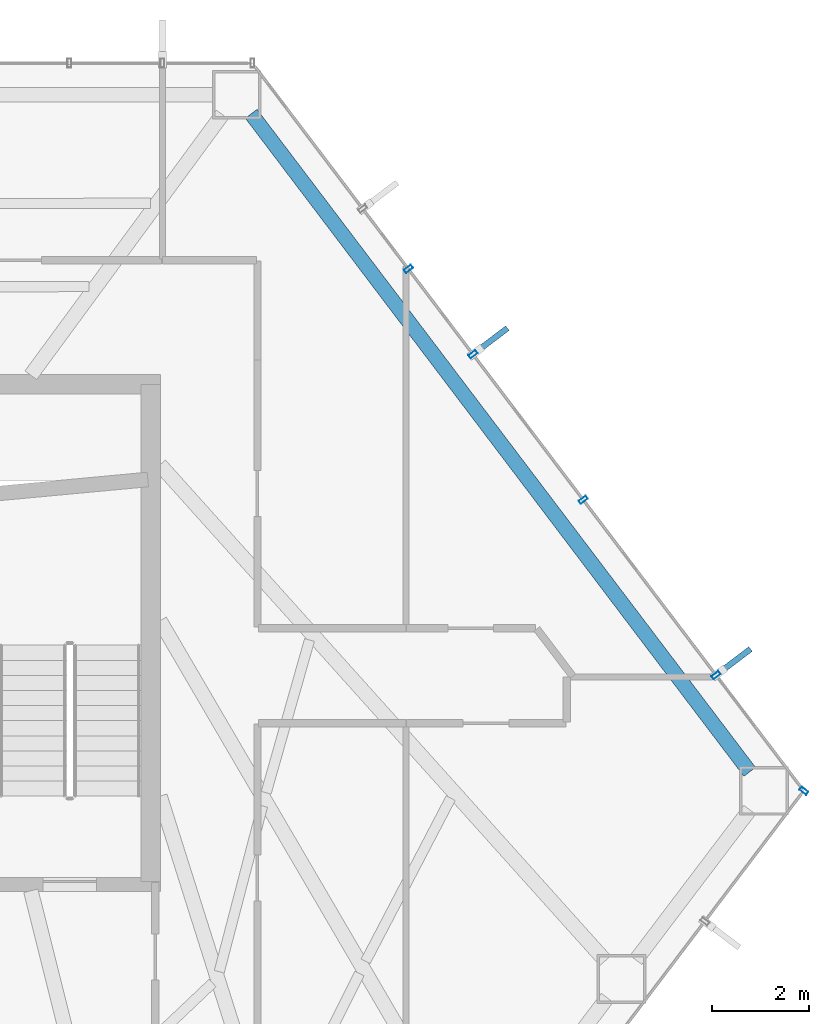
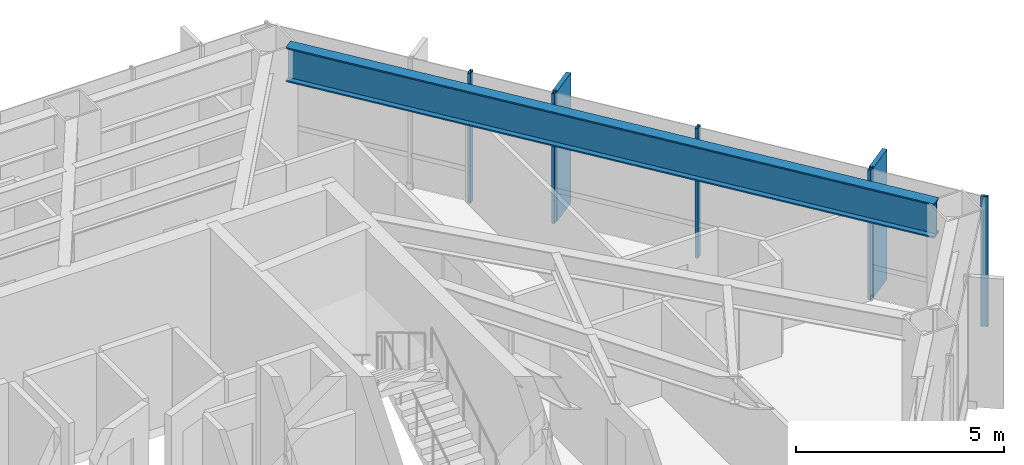
# One storey, part 19 of 25: 7 members, 1 beam, 2 elements without a shape of their own.
"""IFC4 building model written with IfcOpenShell, lengths in metres."""

from ifc_helpers import new_model, si_unit, direction, frame, origin, origin_2d, place, context, subcontext, project, spatial, rectangle, hollow_rectangle, i_section, extrude, material, layer, layer_set, material_profile, profile_set, type_object, element, aggregate, save


model = new_model("IFC4")

# Units and contexts
model_context = context("Model", 3, precision=1e-05, world=origin(), true_north=direction((0.0, 1.0)))
body_context = subcontext(model_context, "Body", "Model", "MODEL_VIEW")
ifc_project = project(units=[si_unit("LENGTHUNIT", "METRE"), si_unit("AREAUNIT", "SQUARE_METRE"), si_unit("VOLUMEUNIT", "CUBIC_METRE"), si_unit("PLANEANGLEUNIT", "RADIAN"), si_unit("MASSUNIT", "GRAM", prefix="KILO")], contexts=[model_context])

# Site, building, storey
site_placement = place(None, origin())
site = spatial("IfcSite", under=ifc_project, at=site_placement, CompositionType="ELEMENT")
building_placement = place(site_placement, origin())
building = spatial("IfcBuilding", under=site, at=building_placement, Name="Zarrinselat Tower", CompositionType="ELEMENT")
storey_placement = place(building_placement, frame((0.0, 0.0, 43.860107421875)))
storey = spatial("IfcBuildingStorey", under=building, at=storey_placement, Name="L10", CompositionType="ELEMENT", Elevation=43.860107421875)

# Beam
ifc_material_1 = material(Name="Steel S460M", Category="steel")
ifc_material_profile_1 = material_profile(ifc_material_1, i_section(OverallWidth=0.302001953125, OverallDepth=1.008056640625, WebThickness=0.02099609375, FlangeThickness=0.0400390625, at=origin_2d()), Name="HEM 1000")
ifc_profile_set_1 = profile_set([ifc_material_profile_1], Name="Steel S460M")
beam_type = type_object("IfcBeamType", Name="BM-HEM1000", PredefinedType="BEAM", material=ifc_profile_set_1)
beam_placement = place(storey_placement, frame((50.321044921875, 49.00537109375, 3.31591796875), z_axis=(0.60386157192, -0.797089205772, 0.0), x_axis=(0.797089205772, 0.60386157192, 0.0)))
element("IfcBeam", 1, at=beam_placement, inside=storey, type_object=beam_type, Name="L10 Perimeter Spandrel Girder SP15", PredefinedType="BEAM", context=body_context, shape_type="SweptSolid", body=[
    extrude(i_section(OverallWidth=0.302001953125, OverallDepth=1.008056640625, WebThickness=0.02099609375, FlangeThickness=0.0400390625, at=origin_2d()), origin(), (0.0, 0.0, 1.0), 16.943359375),
])

# Curtain wall, member
ifc_material_2 = material(Name="Extruded Aluminium Alloy EN AW-6063 T6", Category="aluminium")
ifc_layer = layer(ifc_material_2, 0.18505859375)
ifc_layer_set = layer_set([ifc_layer], Name="Extruded Aluminium Alloy EN AW-6063 T6")
curtain_wall_type = type_object("IfcCurtainWallType", Name="CWS-OFF", PredefinedType="NOTDEFINED", material=ifc_layer_set)
curtain_wall_1_placement = place(storey_placement, origin())
curtain_wall_1 = element("IfcCurtainWall", 2, at=curtain_wall_1_placement, inside=storey, type_object=curtain_wall_type, Name="L10 Unitised Curtain Wall CW-L10-E05", PredefinedType="NOTDEFINED")
ifc_material_3 = material(Name="Extruded Aluminium Alloy EN AW-6063 T6", Category="aluminium")
ifc_material_profile_2 = material_profile(ifc_material_3, hollow_rectangle(XDim=0.080078125, YDim=0.179931640625, WallThickness=0.0048828125, at=origin_2d()), Name="RHS 180x80x5")
ifc_profile_set_2 = profile_set([ifc_material_profile_2], Name="Extruded Aluminium Alloy EN AW-6063 T6")
member_type_1 = type_object("IfcMemberType", Name="MEM-CW-MUL", PredefinedType="MULLION", material=ifc_profile_set_2)
member_1_placement = place(storey_placement, frame((61.66259765625, 35.111083984375, 0.0), z_axis=(0.0, 0.0, 1.0), x_axis=(0.603859118859, 0.797091064164, 0.0)))
member_1 = element("IfcMember", 3, at=member_1_placement, type_object=member_type_1, Name="CW-L10-E05 Mullion 6", PredefinedType="MULLION", context=body_context, shape_type="SweptSolid", body=[
    extrude(hollow_rectangle(XDim=0.080078125, YDim=0.179931640625, WallThickness=0.0048828125, at=origin_2d()), origin(), (0.0, 0.0, 1.0), 3.81982421875),
])
aggregate(curtain_wall_1, [member_1])

# Curtain wall, members
curtain_wall_2_placement = place(storey_placement, origin())
curtain_wall_2 = element("IfcCurtainWall", 4, at=curtain_wall_2_placement, inside=storey, type_object=curtain_wall_type, Name="L10 Unitised Curtain Wall CW-L10-E06", PredefinedType="NOTDEFINED")
member_2_placement = place(storey_placement, frame((59.86328125, 37.486083984375, 0.0), z_axis=(0.0, 0.0, 1.0), x_axis=(-0.603858304597, 0.797091681031, 0.0)))
member_2 = element("IfcMember", 5, at=member_2_placement, type_object=member_type_1, Name="CW-L10-E06 Mullion 1", PredefinedType="MULLION", context=body_context, shape_type="SweptSolid", body=[
    extrude(hollow_rectangle(XDim=0.080078125, YDim=0.179931640625, WallThickness=0.0048828125, at=origin_2d()), origin(), (0.0, 0.0, 1.0), 3.81982421875),
])
member_3_placement = place(storey_placement, frame((57.13720703125, 41.08447265625, 0.0), z_axis=(0.0, 0.0, 1.0), x_axis=(-0.603858304597, 0.797091681031, 0.0)))
member_3 = element("IfcMember", 6, at=member_3_placement, type_object=member_type_1, Name="CW-L10-E06 Mullion 2", PredefinedType="MULLION", context=body_context, shape_type="SweptSolid", body=[
    extrude(hollow_rectangle(XDim=0.080078125, YDim=0.179931640625, WallThickness=0.0048828125, at=origin_2d()), origin(), (0.0, 0.0, 1.0), 3.81982421875),
])
member_4_placement = place(storey_placement, frame((54.874755859375, 44.071044921875, 0.0), z_axis=(0.0, 0.0, 1.0), x_axis=(-0.603858304597, 0.797091681031, 0.0)))
member_4 = element("IfcMember", 7, at=member_4_placement, type_object=member_type_1, Name="CW-L10-E06 Mullion 3", PredefinedType="MULLION", context=body_context, shape_type="SweptSolid", body=[
    extrude(hollow_rectangle(XDim=0.080078125, YDim=0.179931640625, WallThickness=0.0048828125, at=origin_2d()), origin(), (0.0, 0.0, 1.0), 3.81982421875),
])
member_5_placement = place(storey_placement, frame((53.5478515625, 45.822509765625, 0.0), z_axis=(0.0, 0.0, 1.0), x_axis=(-0.603858304597, 0.797091681031, 0.0)))
member_5 = element("IfcMember", 8, at=member_5_placement, type_object=member_type_1, Name="CW-L10-E06 Mullion 4", PredefinedType="MULLION", context=body_context, shape_type="SweptSolid", body=[
    extrude(hollow_rectangle(XDim=0.080078125, YDim=0.179931640625, WallThickness=0.0048828125, at=origin_2d()), origin(), (0.0, 0.0, 1.0), 3.81982421875),
])
ifc_material_4 = material(Name="Honed Cream Travertine Stone", Category="masonry")
ifc_material_profile_3 = material_profile(ifc_material_4, rectangle(XDim=0.1201171875, YDim=0.85009765625, at=origin_2d()), Name="FIN 850x120")
ifc_profile_set_3 = profile_set([ifc_material_profile_3], Name="Honed Cream Travertine Stone")
member_type_2 = type_object("IfcMemberType", Name="MEM-STONE-FIN", PredefinedType="USERDEFINED", material=ifc_profile_set_3)
member_6_placement = place(storey_placement, frame((60.22998046875, 37.763916015625, 0.0), z_axis=(0.0, 0.0, 1.0), x_axis=(0.603858304597, -0.797091681031, 0.0)))
member_6 = element("IfcMember", 9, at=member_6_placement, type_object=member_type_2, Name="L10 Stone Shading Fin CW-L10-E06-01", ObjectType="FIN", PredefinedType="USERDEFINED", context=body_context, shape_type="SweptSolid", body=[
    extrude(rectangle(XDim=0.1201171875, YDim=0.85009765625, at=origin_2d()), origin(), (0.0, 0.0, 1.0), 3.81982421875),
])
member_7_placement = place(storey_placement, frame((55.241455078125, 44.348876953125, 0.0), z_axis=(0.0, 0.0, 1.0), x_axis=(0.603858304597, -0.797091681031, 0.0)))
member_7 = element("IfcMember", 10, at=member_7_placement, type_object=member_type_2, Name="L10 Stone Shading Fin CW-L10-E06-03", ObjectType="FIN", PredefinedType="USERDEFINED", context=body_context, shape_type="SweptSolid", body=[
    extrude(rectangle(XDim=0.1201171875, YDim=0.85009765625, at=origin_2d()), origin(), (0.0, 0.0, 1.0), 3.81982421875),
])
aggregate(curtain_wall_2, [member_2, member_6, member_3, member_4, member_7, member_5])

save(model, "model.ifc")
